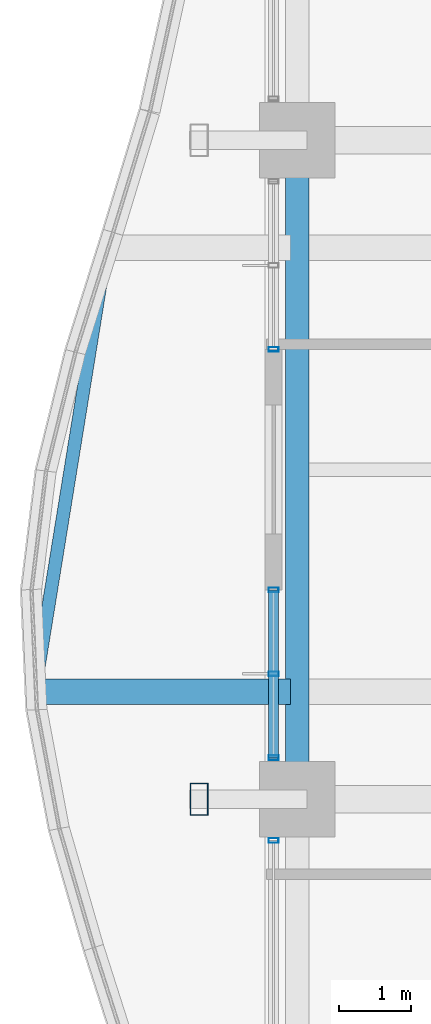
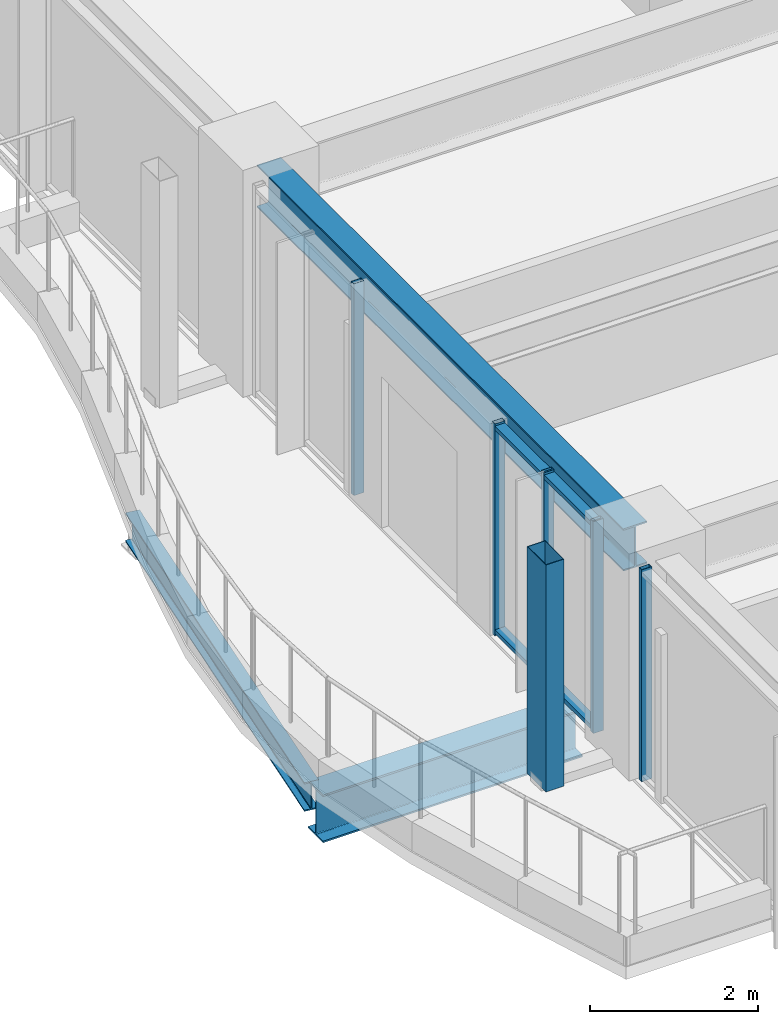
# One storey, part 7 of 37: 8 members, 3 beams, 3 elements without a shape of their own.
"""IFC4 building model written with IfcOpenShell, lengths in metres."""

from ifc_helpers import new_model, si_unit, direction, frame, origin, origin_2d, place, context, subcontext, project, spatial, hollow_rectangle, i_section, extrude, material, material_profile, profile_set, type_object, element, aggregate, save


model = new_model("IFC4")

# Units and contexts
model_context = context("Model", 3, precision=1e-05, world=origin(), true_north=direction((0.0, 1.0)))
body_context = subcontext(model_context, "Body", "Model", "MODEL_VIEW")
ifc_project = project(units=[si_unit("LENGTHUNIT", "METRE"), si_unit("AREAUNIT", "SQUARE_METRE"), si_unit("VOLUMEUNIT", "CUBIC_METRE"), si_unit("PLANEANGLEUNIT", "RADIAN"), si_unit("MASSUNIT", "GRAM", prefix="KILO")], contexts=[model_context])

# Site, building, storey
site_placement = place(None, origin())
site = spatial("IfcSite", under=ifc_project, at=site_placement, CompositionType="ELEMENT")
building_placement = place(site_placement, origin())
building = spatial("IfcBuilding", under=site, at=building_placement, Name="Kolvaren Belvedere", CompositionType="ELEMENT")
storey_placement = place(building_placement, frame((0.0, 0.0, 75.5)))
storey = spatial("IfcBuildingStorey", under=building, at=storey_placement, Name="L21", CompositionType="ELEMENT", Elevation=75.5)

# Beams
ifc_material_1 = material(Name="Structural steel ASTM A992 Grade 50", Category="steel")
ifc_material_profile_1 = material_profile(ifc_material_1, i_section(OverallWidth=0.35498046875, OverallDepth=0.696044921875, WebThickness=0.015380859375, FlangeThickness=0.02490234375, FilletRadius=0.02197265625, at=origin_2d()), Name="W27X146")
ifc_profile_set_1 = profile_set([ifc_material_profile_1], Name="Structural steel ASTM A992 Grade 50")
beam_type_1 = type_object("IfcBeamType", Name="BM-CANT-BAL", PredefinedType="BEAM", material=ifc_profile_set_1)
beam_1_placement = place(storey_placement, frame((-20.044921875, -3.10009765625, -0.568115234375), z_axis=(-1.0, 0.0, 0.0), x_axis=(0.0, -1.0, 0.0)))
element("IfcBeam", 1, at=beam_1_placement, inside=storey, type_object=beam_type_1, Name="L21 Planted Balcony Cantilever BAL-W-1", PredefinedType="BEAM", context=body_context, shape_type="SweptSolid", body=[
    extrude(i_section(OverallWidth=0.35498046875, OverallDepth=0.696044921875, WebThickness=0.015380859375, FlangeThickness=0.02490234375, FilletRadius=0.02197265625, at=origin_2d()), origin(), (0.0, 0.0, 1.0), 3.571044921875),
])
ifc_material_2 = material(Name="Structural steel ASTM A992 Grade 50", Category="steel")
ifc_material_profile_2 = material_profile(ifc_material_2, i_section(OverallWidth=0.180908203125, OverallDepth=0.4169921875, WebThickness=0.010986328125, FlangeThickness=0.018310546875, FilletRadius=0.013916015625, at=origin_2d()), Name="W16X57")
ifc_profile_set_2 = profile_set([ifc_material_profile_2], Name="Structural steel ASTM A992 Grade 50")
beam_type_2 = type_object("IfcBeamType", Name="BM-EDGE-W16X57", PredefinedType="BEAM", material=ifc_profile_set_2)
beam_2_placement = place(storey_placement, frame((-23.593505859375, -2.9619140625, -0.428466796875), z_axis=(0.159567567211, 0.987187009383, 0.0), x_axis=(-0.987187009383, 0.159567567211, 0.0)))
element("IfcBeam", 2, at=beam_2_placement, inside=storey, type_object=beam_type_2, Name="L21 Balcony Tip Header Beam BAL-W", PredefinedType="BEAM", context=body_context, shape_type="SweptSolid", body=[
    extrude(i_section(OverallWidth=0.180908203125, OverallDepth=0.4169921875, WebThickness=0.010986328125, FlangeThickness=0.018310546875, FilletRadius=0.013916015625, at=origin_2d()), origin(), (0.0, 0.0, 1.0), 6.000732421875),
])
ifc_material_3 = material(Name="Structural steel ASTM A992 Grade 50", Category="steel")
ifc_material_profile_3 = material_profile(ifc_material_3, i_section(OverallWidth=0.324951171875, OverallDepth=0.615966796875, WebThickness=0.013916015625, FlangeThickness=0.021484375, FilletRadius=0.02001953125, at=origin_2d()), Name="W24X117")
ifc_profile_set_3 = profile_set([ifc_material_profile_3], Name="Structural steel ASTM A992 Grade 50")
beam_type_3 = type_object("IfcBeamType", Name="BM-SPAN-W24X117", PredefinedType="SPANDREL", material=ifc_profile_set_3)
beam_3_placement = place(storey_placement, frame((-19.949951171875, 4.36376953125, 2.77197265625), z_axis=(0.0, -1.0, 0.0), x_axis=(1.0, 0.0, 0.0)))
element("IfcBeam", 3, at=beam_3_placement, inside=storey, type_object=beam_type_3, Name="L21 Perimeter Spandrel W3-W2", PredefinedType="SPANDREL", context=body_context, shape_type="SweptSolid", body=[
    extrude(i_section(OverallWidth=0.324951171875, OverallDepth=0.615966796875, WebThickness=0.013916015625, FlangeThickness=0.021484375, FilletRadius=0.02001953125, at=origin_2d()), origin(), (0.0, 0.0, 1.0), 8.7275390625),
])

# Curtain wall, member
ifc_material_4 = material(Name="Anodised pale-metal aluminium AA 6063-T6", Category="aluminium")
curtain_wall_type = type_object("IfcCurtainWallType", Name="CW-Z2-MID", PredefinedType="NOTDEFINED", material=ifc_material_4)
curtain_wall_1_placement = place(storey_placement, origin())
curtain_wall_1 = element("IfcCurtainWall", 4, at=curtain_wall_1_placement, inside=storey, type_object=curtain_wall_type, Name="L21 Unitised Curtain Wall FCW-L21-W1-B1", PredefinedType="NOTDEFINED")
ifc_material_5 = material(Name="Anodised pale-metal aluminium AA 6063-T6", Category="aluminium")
ifc_material_profile_4 = material_profile(ifc_material_5, hollow_rectangle(XDim=0.06494140625, YDim=0.139892578125, WallThickness=0.00390625, at=origin_2d()), Name="ALU-MUL-140X65")
ifc_profile_set_4 = profile_set([ifc_material_profile_4], Name="Anodised pale-metal aluminium AA 6063-T6")
member_type_1 = type_object("IfcMemberType", Name="CW-MUL-140", PredefinedType="MULLION", material=ifc_profile_set_4)
member_1_placement = place(storey_placement, frame((-20.280029296875, -5.177490234375, 0.0), z_axis=(0.0, 0.0, 1.0), x_axis=(0.0, 1.0, 0.0)))
member_1 = element("IfcMember", 5, at=member_1_placement, type_object=member_type_1, Name="FCW-L21-W1-B1 Unitised Mullion 3", PredefinedType="MULLION", context=body_context, shape_type="SweptSolid", body=[
    extrude(hollow_rectangle(XDim=0.06494140625, YDim=0.139892578125, WallThickness=0.00390625, at=origin_2d()), origin(), (0.0, 0.0, 1.0), 3.080078125),
])
aggregate(curtain_wall_1, [member_1])

# Curtain wall, members
curtain_wall_2_placement = place(storey_placement, origin())
curtain_wall_2 = element("IfcCurtainWall", 6, at=curtain_wall_2_placement, inside=storey, type_object=curtain_wall_type, Name="L21 Unitised Curtain Wall FCW-L21-W1-B2", PredefinedType="NOTDEFINED")
member_2_placement = place(storey_placement, frame((-20.280029296875, -4.0224609375, 0.0), z_axis=(0.0, 0.0, 1.0), x_axis=(0.0, 1.0, 0.0)))
member_2 = element("IfcMember", 7, at=member_2_placement, type_object=member_type_1, Name="FCW-L21-W1-B2 Unitised Mullion 1", PredefinedType="MULLION", context=body_context, shape_type="SweptSolid", body=[
    extrude(hollow_rectangle(XDim=0.06494140625, YDim=0.139892578125, WallThickness=0.00390625, at=origin_2d()), origin(), (0.0, 0.0, 1.0), 3.080078125),
])
member_3_placement = place(storey_placement, frame((-20.280029296875, -2.851318359375, 0.0), z_axis=(0.0, 0.0, 1.0), x_axis=(0.0, 1.0, 0.0)))
member_3 = element("IfcMember", 8, at=member_3_placement, type_object=member_type_1, Name="FCW-L21-W1-B2 Unitised Mullion 2", PredefinedType="MULLION", context=body_context, shape_type="SweptSolid", body=[
    extrude(hollow_rectangle(XDim=0.06494140625, YDim=0.139892578125, WallThickness=0.00390625, at=origin_2d()), origin(), (0.0, 0.0, 1.0), 3.080078125),
])
member_4_placement = place(storey_placement, frame((-20.280029296875, -1.679931640625, 0.0), z_axis=(0.0, 0.0, 1.0), x_axis=(0.0, 1.0, 0.0)))
member_4 = element("IfcMember", 9, at=member_4_placement, type_object=member_type_1, Name="FCW-L21-W1-B2 Unitised Mullion 3", PredefinedType="MULLION", context=body_context, shape_type="SweptSolid", body=[
    extrude(hollow_rectangle(XDim=0.06494140625, YDim=0.139892578125, WallThickness=0.00390625, at=origin_2d()), origin(), (0.0, 0.0, 1.0), 3.080078125),
])

# Curtain wall, member
curtain_wall_3_placement = place(storey_placement, origin())
curtain_wall_3 = element("IfcCurtainWall", 10, at=curtain_wall_3_placement, inside=storey, type_object=curtain_wall_type, Name="L21 Unitised Curtain Wall FCW-L21-W2-B1", PredefinedType="NOTDEFINED")
member_5_placement = place(storey_placement, frame((-20.280029296875, 1.679931640625, 0.0), z_axis=(0.0, 0.0, 1.0), x_axis=(0.0, 1.0, 0.0)))
member_5 = element("IfcMember", 11, at=member_5_placement, type_object=member_type_1, Name="FCW-L21-W2-B1 Unitised Mullion 1", PredefinedType="MULLION", context=body_context, shape_type="SweptSolid", body=[
    extrude(hollow_rectangle(XDim=0.06494140625, YDim=0.139892578125, WallThickness=0.00390625, at=origin_2d()), origin(), (0.0, 0.0, 1.0), 3.080078125),
])
aggregate(curtain_wall_3, [member_5])

# Member
ifc_material_6 = material(Name="Anodised pale-metal aluminium AA 6063-T6", Category="aluminium")
ifc_material_profile_5 = material_profile(ifc_material_6, hollow_rectangle(XDim=0.06005859375, YDim=0.139892578125, WallThickness=0.00390625, at=origin_2d()), Name="ALU-TRN-140X60")
ifc_profile_set_5 = profile_set([ifc_material_profile_5], Name="Anodised pale-metal aluminium AA 6063-T6")
member_type_2 = type_object("IfcMemberType", Name="CW-TRN-140", PredefinedType="USERDEFINED", material=ifc_profile_set_5)
member_6_placement = place(storey_placement, frame((-20.280029296875, -4.0224609375, 0.06005859375), z_axis=(0.0, 1.0, 0.0), x_axis=(0.0, 0.0, 1.0)))
member_6 = element("IfcMember", 12, at=member_6_placement, type_object=member_type_2, Name="FCW-L21-W1-B2 Sill Transom", ObjectType="TRANSOM", PredefinedType="USERDEFINED", context=body_context, shape_type="SweptSolid", body=[
    extrude(hollow_rectangle(XDim=0.06005859375, YDim=0.139892578125, WallThickness=0.00390625, at=origin_2d()), origin(), (0.0, 0.0, 1.0), 2.342529296875),
])

member_7_placement = place(storey_placement, frame((-20.280029296875, -4.0224609375, 3.02001953125), z_axis=(0.0, 1.0, 0.0), x_axis=(0.0, 0.0, 1.0)))
member_7 = element("IfcMember", 13, at=member_7_placement, type_object=member_type_2, Name="FCW-L21-W1-B2 Head Transom", ObjectType="TRANSOM", PredefinedType="USERDEFINED", context=body_context, shape_type="SweptSolid", body=[
    extrude(hollow_rectangle(XDim=0.06005859375, YDim=0.139892578125, WallThickness=0.00390625, at=origin_2d()), origin(), (0.0, 0.0, 1.0), 2.342529296875),
])

aggregate(curtain_wall_2, [member_2, member_3, member_4, member_6, member_7])

ifc_material_7 = material(Name="Anodised pale-metal aluminium AA 6063-T6", Category="aluminium")
ifc_material_profile_6 = material_profile(ifc_material_7, hollow_rectangle(XDim=0.25, YDim=0.449951171875, WallThickness=0.008544921875, at=origin_2d()), Name="ALU-PF-450X250")
ifc_profile_set_6 = profile_set([ifc_material_profile_6], Name="Anodised pale-metal aluminium AA 6063-T6")
member_type_3 = type_object("IfcMemberType", Name="PF-FRAME-450", PredefinedType="USERDEFINED", material=ifc_profile_set_6)
member_8_placement = place(storey_placement, frame((-21.320068359375, -4.60009765625, 0.0), z_axis=(0.0, 0.0, 1.0), x_axis=(1.0, 0.0, 0.0)))
element("IfcMember", 14, at=member_8_placement, inside=storey, type_object=member_type_3, Name="L21 Outboard Picture-Frame Vertical W1", ObjectType="PICTURE FRAME FIN", PredefinedType="USERDEFINED", context=body_context, shape_type="SweptSolid", body=[
    extrude(hollow_rectangle(XDim=0.25, YDim=0.449951171875, WallThickness=0.008544921875, at=origin_2d()), origin(), (0.0, 0.0, 1.0), 3.300048828125),
])

save(model, "model.ifc")
